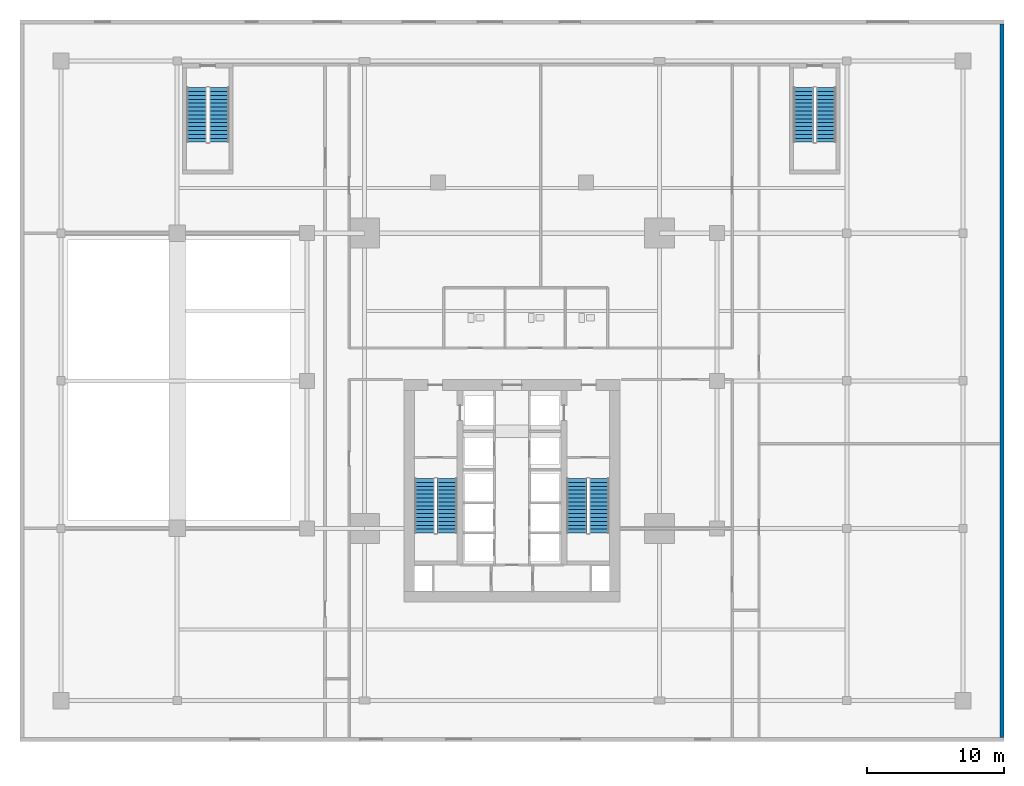
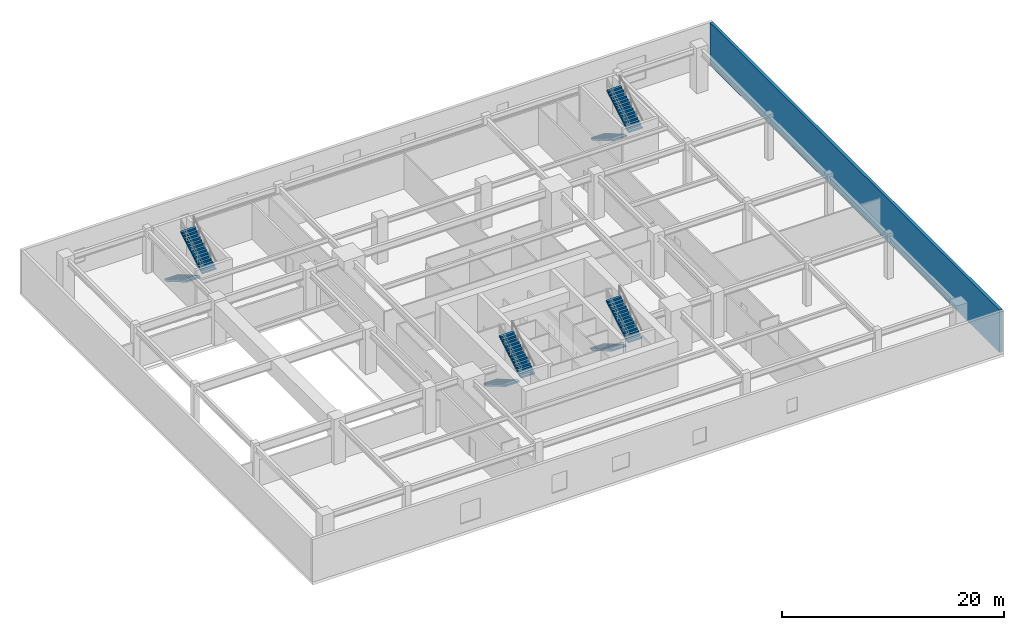
# One storey, part 6 of 9: 8 stair flights, 1 wall, 4 elements without a shape of their own.
"""IFC4 building model written with IfcOpenShell, lengths in metres."""

from ifc_helpers import new_model, si_unit, direction, frame, frame_2d, origin, place, context, subcontext, project, spatial, polyline, rectangle, outline, extrude, material, layer, layer_set, type_object, element, aggregate, save


model = new_model("IFC4")

# Units and contexts
model_context = context("Model", 3, precision=1e-05, world=origin(), true_north=direction((0.0, 1.0)))
body_context = subcontext(model_context, "Body", "Model", "MODEL_VIEW")
ifc_project = project(units=[si_unit("LENGTHUNIT", "METRE"), si_unit("AREAUNIT", "SQUARE_METRE"), si_unit("VOLUMEUNIT", "CUBIC_METRE"), si_unit("PLANEANGLEUNIT", "RADIAN"), si_unit("MASSUNIT", "GRAM", prefix="KILO")], contexts=[model_context])

# Site, building, storey
site_placement = place(None, origin())
site = spatial("IfcSite", under=ifc_project, at=site_placement, CompositionType="ELEMENT")
building_placement = place(site_placement, origin())
building = spatial("IfcBuilding", under=site, at=building_placement, Name="Krantzveldt Concourse Tower", CompositionType="ELEMENT")
storey_placement = place(building_placement, frame((0.0, 0.0, 10.39990234375)))
storey = spatial("IfcBuildingStorey", under=building, at=storey_placement, Name="L02", CompositionType="ELEMENT", Elevation=10.39990234375)

# Wall
ifc_material_1 = material(Name="Concrete C40/50", Category="concrete")
ifc_layer = layer(ifc_material_1, 0.300048828125, Name="Concrete C40/50", Category="concrete")
ifc_layer_set = layer_set([ifc_layer], Name="Concrete C40/50 (WL-EXT-GRAN300)")
wall_type = type_object("IfcWallType", Name="WL-EXT-GRAN300", PredefinedType="SOLIDWALL", material=ifc_layer_set)
wall_placement = place(storey_placement, frame((71.85009765625, 52.800048828125, 0.0), z_axis=(0.0, 0.0, 1.0), x_axis=(0.0, -1.0, 0.0)))
element("IfcWall", 1, at=wall_placement, inside=storey, type_object=wall_type, Name="EW-L02-E", PredefinedType="SOLIDWALL", context=body_context, shape_type="SweptSolid", body=[
    extrude(rectangle(XDim=52.199951171875, YDim=0.300048828125, at=frame_2d((26.10009765625, 0.0))), origin(), (0.0, 0.0, 1.0), 4.7001953125),
])

# Stair, stair flights
ifc_material_2 = material(Name="Precast concrete C40/50", Category="concrete")
stair_type = type_object("IfcStairType", Name="STR-CORE-DOGLEG", PredefinedType="HALF_TURN_STAIR", material=ifc_material_2)
stair_1_placement = place(storey_placement, origin())
stair_1 = element("IfcStair", 2, at=stair_1_placement, inside=storey, type_object=stair_type, Name="L02 Protected Escape Stair ST-1", PredefinedType="HALF_TURN_STAIR")
stair_flight_type = type_object("IfcStairFlightType", Name="STF-CORE-1450", PredefinedType="STRAIGHT", material=ifc_material_2)
stair_flight_1_placement = place(storey_placement, frame((29.60498046875, 19.550048828125, 0.0), z_axis=(0.0, 0.0, 1.0), x_axis=(0.0, -1.0, 0.0)))
stair_flight_1 = element("IfcStairFlight", 3, at=stair_flight_1_placement, type_object=stair_flight_type, Name="ST-1 flight 1", NumberOfRisers=15, NumberOfTreads=14, PredefinedType="STRAIGHT", RiserHeight=0.166666667, TreadLength=0.285, context=body_context, shape_type="SweptSolid", body=[
    extrude(outline(polyline([(0.0, 0.0), (0.0, 0.166748046875), (0.284912109375, 0.166748046875), (0.284912109375, 0.333251953125), (0.570068359375, 0.333251953125), (0.570068359375, 0.5), (0.85498046875, 0.5), (0.85498046875, 0.666748046875), (1.139892578125, 0.666748046875), (1.139892578125, 0.833251953125), (1.425048828125, 0.833251953125), (1.425048828125, 1.0), (1.7099609375, 1.0), (1.7099609375, 1.166748046875), (1.9951171875, 1.166748046875), (1.9951171875, 1.333251953125), (2.280029296875, 1.333251953125), (2.280029296875, 1.5), (2.56494140625, 1.5), (2.56494140625, 1.666748046875), (2.85009765625, 1.666748046875), (2.85009765625, 1.833251953125), (3.135009765625, 1.833251953125), (3.135009765625, 2.0), (3.419921875, 2.0), (3.419921875, 2.166748046875), (3.705078125, 2.166748046875), (3.705078125, 2.333251953125), (3.989990234375, 2.333251953125), (3.989990234375, 2.5), (3.989990234375, 2.15966796875), (0.296875, 0.0), (0.0, 0.0)])), frame((0.0, 0.72509765625, 0.0), z_axis=(0.0, -1.0, 0.0), x_axis=(1.0, 0.0, 0.0)), (0.0, 0.0, 1.0), 1.449951171875),
])
stair_flight_2_placement = place(storey_placement, frame((31.2548828125, 15.56005859375, 2.5), z_axis=(0.0, 0.0, 1.0), x_axis=(0.0, 1.0, 0.0)))
stair_flight_2 = element("IfcStairFlight", 4, at=stair_flight_2_placement, type_object=stair_flight_type, Name="ST-1 flight 2", NumberOfRisers=15, NumberOfTreads=14, PredefinedType="STRAIGHT", RiserHeight=0.166666667, TreadLength=0.285, context=body_context, shape_type="SweptSolid", body=[
    extrude(outline(polyline([(0.0, 0.0), (0.0, 0.166748046875), (0.284912109375, 0.166748046875), (0.284912109375, 0.333251953125), (0.570068359375, 0.333251953125), (0.570068359375, 0.5), (0.85498046875, 0.5), (0.85498046875, 0.666748046875), (1.139892578125, 0.666748046875), (1.139892578125, 0.833251953125), (1.425048828125, 0.833251953125), (1.425048828125, 1.0), (1.7099609375, 1.0), (1.7099609375, 1.166748046875), (1.9951171875, 1.166748046875), (1.9951171875, 1.333251953125), (2.280029296875, 1.333251953125), (2.280029296875, 1.5), (2.56494140625, 1.5), (2.56494140625, 1.666748046875), (2.85009765625, 1.666748046875), (2.85009765625, 1.833251953125), (3.135009765625, 1.833251953125), (3.135009765625, 2.0), (3.419921875, 2.0), (3.419921875, 2.166748046875), (3.705078125, 2.166748046875), (3.705078125, 2.333251953125), (3.989990234375, 2.333251953125), (3.989990234375, 2.5), (3.989990234375, 2.15966796875), (0.296875, 0.0), (0.0, 0.0)])), frame((0.0, 0.72509765625, 0.0), z_axis=(0.0, -1.0, 0.0), x_axis=(1.0, 0.0, 0.0)), (0.0, 0.0, 1.0), 1.449951171875),
])
aggregate(stair_1, [stair_flight_1, stair_flight_2])

stair_2_placement = place(storey_placement, origin())
stair_2 = element("IfcStair", 5, at=stair_2_placement, inside=storey, type_object=stair_type, Name="L02 Protected Escape Stair ST-2", PredefinedType="HALF_TURN_STAIR")
stair_flight_3_placement = place(storey_placement, frame((40.7451171875, 19.550048828125, 0.0), z_axis=(0.0, 0.0, 1.0), x_axis=(0.0, -1.0, 0.0)))
stair_flight_3 = element("IfcStairFlight", 6, at=stair_flight_3_placement, type_object=stair_flight_type, Name="ST-2 flight 1", NumberOfRisers=15, NumberOfTreads=14, PredefinedType="STRAIGHT", RiserHeight=0.166666667, TreadLength=0.285, context=body_context, shape_type="SweptSolid", body=[
    extrude(outline(polyline([(0.0, 0.0), (0.0, 0.166748046875), (0.284912109375, 0.166748046875), (0.284912109375, 0.333251953125), (0.570068359375, 0.333251953125), (0.570068359375, 0.5), (0.85498046875, 0.5), (0.85498046875, 0.666748046875), (1.139892578125, 0.666748046875), (1.139892578125, 0.833251953125), (1.425048828125, 0.833251953125), (1.425048828125, 1.0), (1.7099609375, 1.0), (1.7099609375, 1.166748046875), (1.9951171875, 1.166748046875), (1.9951171875, 1.333251953125), (2.280029296875, 1.333251953125), (2.280029296875, 1.5), (2.56494140625, 1.5), (2.56494140625, 1.666748046875), (2.85009765625, 1.666748046875), (2.85009765625, 1.833251953125), (3.135009765625, 1.833251953125), (3.135009765625, 2.0), (3.419921875, 2.0), (3.419921875, 2.166748046875), (3.705078125, 2.166748046875), (3.705078125, 2.333251953125), (3.989990234375, 2.333251953125), (3.989990234375, 2.5), (3.989990234375, 2.15966796875), (0.296875, 0.0), (0.0, 0.0)])), frame((0.0, 0.72509765625, 0.0), z_axis=(0.0, -1.0, 0.0), x_axis=(1.0, 0.0, 0.0)), (0.0, 0.0, 1.0), 1.449951171875),
])
stair_flight_4_placement = place(storey_placement, frame((42.39501953125, 15.56005859375, 2.5), z_axis=(0.0, 0.0, 1.0), x_axis=(0.0, 1.0, 0.0)))
stair_flight_4 = element("IfcStairFlight", 7, at=stair_flight_4_placement, type_object=stair_flight_type, Name="ST-2 flight 2", NumberOfRisers=15, NumberOfTreads=14, PredefinedType="STRAIGHT", RiserHeight=0.166666667, TreadLength=0.285, context=body_context, shape_type="SweptSolid", body=[
    extrude(outline(polyline([(0.0, 0.0), (0.0, 0.166748046875), (0.284912109375, 0.166748046875), (0.284912109375, 0.333251953125), (0.570068359375, 0.333251953125), (0.570068359375, 0.5), (0.85498046875, 0.5), (0.85498046875, 0.666748046875), (1.139892578125, 0.666748046875), (1.139892578125, 0.833251953125), (1.425048828125, 0.833251953125), (1.425048828125, 1.0), (1.7099609375, 1.0), (1.7099609375, 1.166748046875), (1.9951171875, 1.166748046875), (1.9951171875, 1.333251953125), (2.280029296875, 1.333251953125), (2.280029296875, 1.5), (2.56494140625, 1.5), (2.56494140625, 1.666748046875), (2.85009765625, 1.666748046875), (2.85009765625, 1.833251953125), (3.135009765625, 1.833251953125), (3.135009765625, 2.0), (3.419921875, 2.0), (3.419921875, 2.166748046875), (3.705078125, 2.166748046875), (3.705078125, 2.333251953125), (3.989990234375, 2.333251953125), (3.989990234375, 2.5), (3.989990234375, 2.15966796875), (0.296875, 0.0), (0.0, 0.0)])), frame((0.0, 0.72509765625, 0.0), z_axis=(0.0, -1.0, 0.0), x_axis=(1.0, 0.0, 0.0)), (0.0, 0.0, 1.0), 1.449951171875),
])
aggregate(stair_2, [stair_flight_3, stair_flight_4])

stair_3_placement = place(storey_placement, origin())
stair_3 = element("IfcStair", 8, at=stair_3_placement, inside=storey, type_object=stair_type, Name="L02 Podium Escape Stair ST-3", PredefinedType="HALF_TURN_STAIR")
stair_flight_5_placement = place(storey_placement, frame((12.925048828125, 48.14990234375, 0.0), z_axis=(0.0, 0.0, 1.0), x_axis=(0.0, -1.0, 0.0)))
stair_flight_5 = element("IfcStairFlight", 9, at=stair_flight_5_placement, type_object=stair_flight_type, Name="ST-3 flight 1", NumberOfRisers=15, NumberOfTreads=14, PredefinedType="STRAIGHT", RiserHeight=0.166666667, TreadLength=0.285, context=body_context, shape_type="SweptSolid", body=[
    extrude(outline(polyline([(0.0, 0.0), (0.0, 0.166748046875), (0.284912109375, 0.166748046875), (0.284912109375, 0.333251953125), (0.570068359375, 0.333251953125), (0.570068359375, 0.5), (0.85498046875, 0.5), (0.85498046875, 0.666748046875), (1.139892578125, 0.666748046875), (1.139892578125, 0.833251953125), (1.425048828125, 0.833251953125), (1.425048828125, 1.0), (1.7099609375, 1.0), (1.7099609375, 1.166748046875), (1.9951171875, 1.166748046875), (1.9951171875, 1.333251953125), (2.280029296875, 1.333251953125), (2.280029296875, 1.5), (2.56494140625, 1.5), (2.56494140625, 1.666748046875), (2.85009765625, 1.666748046875), (2.85009765625, 1.833251953125), (3.135009765625, 1.833251953125), (3.135009765625, 2.0), (3.419921875, 2.0), (3.419921875, 2.166748046875), (3.705078125, 2.166748046875), (3.705078125, 2.333251953125), (3.989990234375, 2.333251953125), (3.989990234375, 2.5), (3.989990234375, 2.15966796875), (0.296875, 0.0), (0.0, 0.0)])), frame((0.0, 0.72509765625, 0.0), z_axis=(0.0, -1.0, 0.0), x_axis=(1.0, 0.0, 0.0)), (0.0, 0.0, 1.0), 1.449951171875),
])
stair_flight_6_placement = place(storey_placement, frame((14.574951171875, 44.159912109375, 2.5), z_axis=(0.0, 0.0, 1.0), x_axis=(0.0, 1.0, 0.0)))
stair_flight_6 = element("IfcStairFlight", 10, at=stair_flight_6_placement, type_object=stair_flight_type, Name="ST-3 flight 2", NumberOfRisers=15, NumberOfTreads=14, PredefinedType="STRAIGHT", RiserHeight=0.166666667, TreadLength=0.285, context=body_context, shape_type="SweptSolid", body=[
    extrude(outline(polyline([(0.0, 0.0), (0.0, 0.166748046875), (0.284912109375, 0.166748046875), (0.284912109375, 0.333251953125), (0.570068359375, 0.333251953125), (0.570068359375, 0.5), (0.85498046875, 0.5), (0.85498046875, 0.666748046875), (1.139892578125, 0.666748046875), (1.139892578125, 0.833251953125), (1.425048828125, 0.833251953125), (1.425048828125, 1.0), (1.7099609375, 1.0), (1.7099609375, 1.166748046875), (1.9951171875, 1.166748046875), (1.9951171875, 1.333251953125), (2.280029296875, 1.333251953125), (2.280029296875, 1.5), (2.56494140625, 1.5), (2.56494140625, 1.666748046875), (2.85009765625, 1.666748046875), (2.85009765625, 1.833251953125), (3.135009765625, 1.833251953125), (3.135009765625, 2.0), (3.419921875, 2.0), (3.419921875, 2.166748046875), (3.705078125, 2.166748046875), (3.705078125, 2.333251953125), (3.989990234375, 2.333251953125), (3.989990234375, 2.5), (3.989990234375, 2.15966796875), (0.296875, 0.0), (0.0, 0.0)])), frame((0.0, 0.72509765625, 0.0), z_axis=(0.0, -1.0, 0.0), x_axis=(1.0, 0.0, 0.0)), (0.0, 0.0, 1.0), 1.449951171875),
])
aggregate(stair_3, [stair_flight_5, stair_flight_6])

stair_4_placement = place(storey_placement, origin())
stair_4 = element("IfcStair", 11, at=stair_4_placement, inside=storey, type_object=stair_type, Name="L02 Podium Escape Stair ST-4", PredefinedType="HALF_TURN_STAIR")
stair_flight_7_placement = place(storey_placement, frame((57.324951171875, 48.14990234375, 0.0), z_axis=(0.0, 0.0, 1.0), x_axis=(0.0, -1.0, 0.0)))
stair_flight_7 = element("IfcStairFlight", 12, at=stair_flight_7_placement, type_object=stair_flight_type, Name="ST-4 flight 1", NumberOfRisers=15, NumberOfTreads=14, PredefinedType="STRAIGHT", RiserHeight=0.166666667, TreadLength=0.285, context=body_context, shape_type="SweptSolid", body=[
    extrude(outline(polyline([(0.0, 0.0), (0.0, 0.166748046875), (0.284912109375, 0.166748046875), (0.284912109375, 0.333251953125), (0.570068359375, 0.333251953125), (0.570068359375, 0.5), (0.85498046875, 0.5), (0.85498046875, 0.666748046875), (1.139892578125, 0.666748046875), (1.139892578125, 0.833251953125), (1.425048828125, 0.833251953125), (1.425048828125, 1.0), (1.7099609375, 1.0), (1.7099609375, 1.166748046875), (1.9951171875, 1.166748046875), (1.9951171875, 1.333251953125), (2.280029296875, 1.333251953125), (2.280029296875, 1.5), (2.56494140625, 1.5), (2.56494140625, 1.666748046875), (2.85009765625, 1.666748046875), (2.85009765625, 1.833251953125), (3.135009765625, 1.833251953125), (3.135009765625, 2.0), (3.419921875, 2.0), (3.419921875, 2.166748046875), (3.705078125, 2.166748046875), (3.705078125, 2.333251953125), (3.989990234375, 2.333251953125), (3.989990234375, 2.5), (3.989990234375, 2.15966796875), (0.296875, 0.0), (0.0, 0.0)])), frame((0.0, 0.72509765625, 0.0), z_axis=(0.0, -1.0, 0.0), x_axis=(1.0, 0.0, 0.0)), (0.0, 0.0, 1.0), 1.449951171875),
])
stair_flight_8_placement = place(storey_placement, frame((58.97509765625, 44.159912109375, 2.5), z_axis=(0.0, 0.0, 1.0), x_axis=(0.0, 1.0, 0.0)))
stair_flight_8 = element("IfcStairFlight", 13, at=stair_flight_8_placement, type_object=stair_flight_type, Name="ST-4 flight 2", NumberOfRisers=15, NumberOfTreads=14, PredefinedType="STRAIGHT", RiserHeight=0.166666667, TreadLength=0.285, context=body_context, shape_type="SweptSolid", body=[
    extrude(outline(polyline([(0.0, 0.0), (0.0, 0.166748046875), (0.284912109375, 0.166748046875), (0.284912109375, 0.333251953125), (0.570068359375, 0.333251953125), (0.570068359375, 0.5), (0.85498046875, 0.5), (0.85498046875, 0.666748046875), (1.139892578125, 0.666748046875), (1.139892578125, 0.833251953125), (1.425048828125, 0.833251953125), (1.425048828125, 1.0), (1.7099609375, 1.0), (1.7099609375, 1.166748046875), (1.9951171875, 1.166748046875), (1.9951171875, 1.333251953125), (2.280029296875, 1.333251953125), (2.280029296875, 1.5), (2.56494140625, 1.5), (2.56494140625, 1.666748046875), (2.85009765625, 1.666748046875), (2.85009765625, 1.833251953125), (3.135009765625, 1.833251953125), (3.135009765625, 2.0), (3.419921875, 2.0), (3.419921875, 2.166748046875), (3.705078125, 2.166748046875), (3.705078125, 2.333251953125), (3.989990234375, 2.333251953125), (3.989990234375, 2.5), (3.989990234375, 2.15966796875), (0.296875, 0.0), (0.0, 0.0)])), frame((0.0, 0.72509765625, 0.0), z_axis=(0.0, -1.0, 0.0), x_axis=(1.0, 0.0, 0.0)), (0.0, 0.0, 1.0), 1.449951171875),
])
aggregate(stair_4, [stair_flight_7, stair_flight_8])

save(model, "model.ifc")
